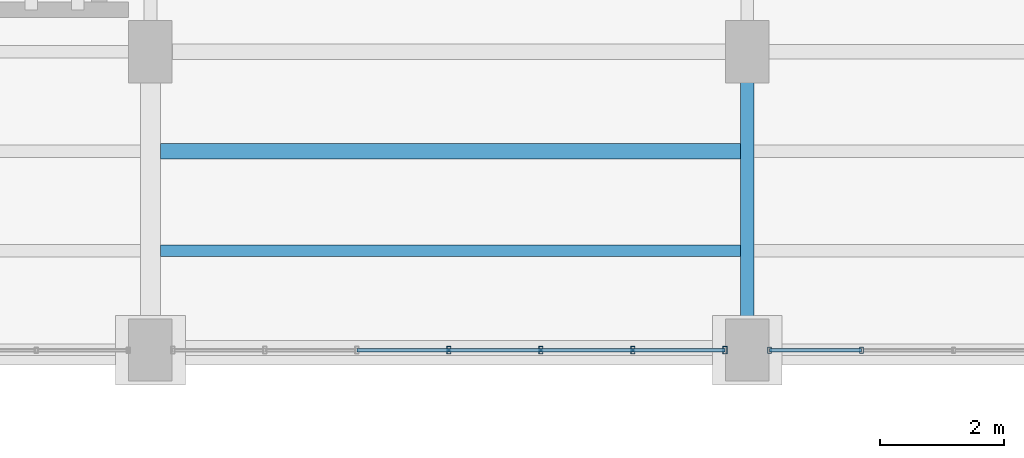
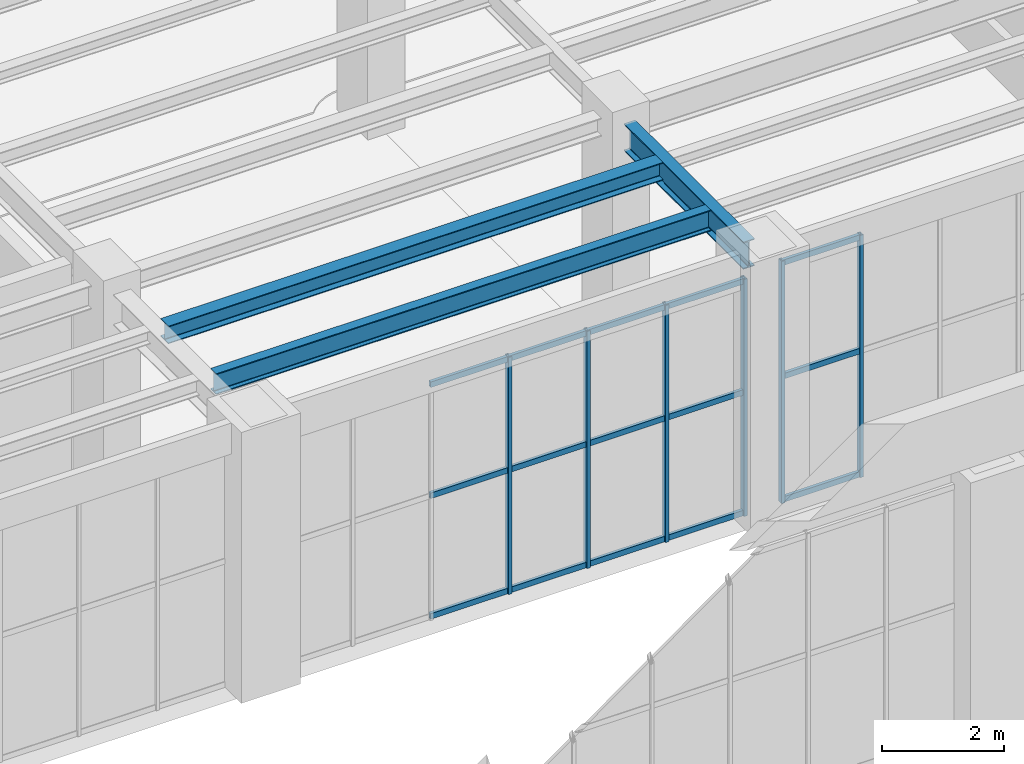
# One storey, part 104 of 164: 21 members, 3 beams, 2 elements without a shape of their own.
"""IFC4 building model written with IfcOpenShell, lengths in metres."""

from ifc_helpers import new_model, si_unit, direction, frame, origin, origin_2d, place, context, subcontext, project, spatial, hollow_rectangle, i_section, extrude, material, material_profile, profile_set, type_object, element, aggregate, save


model = new_model("IFC4")

# Units and contexts
model_context = context("Model", 3, precision=1e-05, world=origin(), true_north=direction((0.0, 1.0)))
body_context = subcontext(model_context, "Body", "Model", "MODEL_VIEW")
ifc_project = project(units=[si_unit("LENGTHUNIT", "METRE"), si_unit("AREAUNIT", "SQUARE_METRE"), si_unit("VOLUMEUNIT", "CUBIC_METRE"), si_unit("PLANEANGLEUNIT", "RADIAN"), si_unit("MASSUNIT", "GRAM", prefix="KILO")], contexts=[model_context])

# Site, building, storey
site_placement = place(None, origin())
site = spatial("IfcSite", under=ifc_project, at=site_placement, CompositionType="ELEMENT")
building_placement = place(site_placement, origin())
building = spatial("IfcBuilding", under=site, at=building_placement, Name="Mavantir Sound Aquarium", CompositionType="ELEMENT")
storey_placement = place(building_placement, origin())
storey = spatial("IfcBuildingStorey", under=building, at=storey_placement, Name="L00", CompositionType="ELEMENT", Elevation=0.0)

# Beams
ifc_material_1 = material(Name="Structural Steel ASTM A992 Gr50", Category="steel")
ifc_material_profile_1 = material_profile(ifc_material_1, i_section(OverallWidth=0.25390625, OverallDepth=0.35302734375, WebThickness=0.009521484375, FlangeThickness=0.016357421875, FilletRadius=0.014892578125, at=origin_2d()), Name="W360X91")
ifc_profile_set_1 = profile_set([ifc_material_profile_1], Name="Structural Steel ASTM A992 Gr50")
beam_type_1 = type_object("IfcBeamType", Name="BM-W360X91-I", PredefinedType="JOIST", material=ifc_profile_set_1)
beam_1_placement = place(storey_placement, frame((156.162109375, 39.199951171875, 4.889404296875), z_axis=(1.0, 0.0, 0.0), x_axis=(0.0, 1.0, 0.0)))
element("IfcBeam", 1, at=beam_1_placement, inside=storey, type_object=beam_type_1, Name="L00 secondary floor joist SJ-36 518", PredefinedType="JOIST", context=body_context, shape_type="SweptSolid", body=[
    extrude(i_section(OverallWidth=0.25390625, OverallDepth=0.35302734375, WebThickness=0.009521484375, FlangeThickness=0.016357421875, FilletRadius=0.014892578125, at=origin_2d()), origin(), (0.0, 0.0, 1.0), 9.331787109375),
])
ifc_material_profile_2 = material_profile(ifc_material_1, i_section(OverallWidth=0.180908203125, OverallDepth=0.4169921875, WebThickness=0.010986328125, FlangeThickness=0.018310546875, FilletRadius=0.014892578125, at=origin_2d()), Name="W410X85")
ifc_profile_set_2 = profile_set([ifc_material_profile_2], Name="Structural Steel ASTM A992 Gr50")
beam_type_2 = type_object("IfcBeamType", Name="BM-W410X85-I", PredefinedType="JOIST", material=ifc_profile_set_2)
beam_2_placement = place(storey_placement, frame((156.162109375, 37.60009765625, 4.857421875), z_axis=(1.0, 0.0, 0.0), x_axis=(0.0, 1.0, 0.0)))
element("IfcBeam", 2, at=beam_2_placement, inside=storey, type_object=beam_type_2, Name="L00 secondary floor joist SJ-41 517", PredefinedType="JOIST", context=body_context, shape_type="SweptSolid", body=[
    extrude(i_section(OverallWidth=0.180908203125, OverallDepth=0.4169921875, WebThickness=0.010986328125, FlangeThickness=0.018310546875, FilletRadius=0.014892578125, at=origin_2d()), origin(), (0.0, 0.0, 1.0), 9.331787109375),
])
ifc_material_profile_3 = material_profile(ifc_material_1, i_section(OverallWidth=0.2119140625, OverallDepth=0.5439453125, WebThickness=0.01318359375, FlangeThickness=0.021240234375, FilletRadius=0.01806640625, at=origin_2d()), Name="W530X123")
ifc_profile_set_3 = profile_set([ifc_material_profile_3], Name="Structural Steel ASTM A992 Gr50")
beam_type_3 = type_object("IfcBeamType", Name="BM-W530X123-I", PredefinedType="BEAM", material=ifc_profile_set_3)
beam_3_placement = place(storey_placement, frame((165.60009765625, 36.449951171875, 4.7939453125), z_axis=(0.0, 1.0, 0.0), x_axis=(-1.0, 0.0, 0.0)))
element("IfcBeam", 3, at=beam_3_placement, inside=storey, type_object=beam_type_3, Name="L00 primary girder SB-53 1019", PredefinedType="BEAM", context=body_context, shape_type="SweptSolid", body=[
    extrude(i_section(OverallWidth=0.2119140625, OverallDepth=0.5439453125, WebThickness=0.01318359375, FlangeThickness=0.021240234375, FilletRadius=0.01806640625, at=origin_2d()), origin(), (0.0, 0.0, 1.0), 3.900146484375),
])

# Curtain wall, members
ifc_material_2 = material(Name="Anodised Marine Aluminium and Low-E Glass", Category="aluminium")
curtain_wall_type_1 = type_object("IfcCurtainWallType", Name="CW-T01", PredefinedType="USERDEFINED", material=ifc_material_2)
curtain_wall_1_placement = place(storey_placement, origin())
curtain_wall_1 = element("IfcCurtainWall", 4, at=curtain_wall_1_placement, inside=storey, type_object=curtain_wall_type_1, Name="L00 unitised curtain wall CW-01 25", ObjectType="UNITISED GLAZING", PredefinedType="USERDEFINED")
ifc_material_3 = material(Name="Anodised Marine Aluminium 6063-T6", Category="aluminium")
ifc_material_profile_4 = material_profile(ifc_material_3, hollow_rectangle(XDim=0.06005859375, YDim=0.10009765625, WallThickness=0.00390625, at=origin_2d()), Name="ALU-MULLION-100X60")
ifc_profile_set_4 = profile_set([ifc_material_profile_4], Name="Anodised Marine Aluminium 6063-T6")
member_type_1 = type_object("IfcMemberType", Name="CW-MUL-100", PredefinedType="MULLION", material=ifc_profile_set_4)
member_1_placement = place(storey_placement, frame((165.9580078125, 36.0, 0.0), z_axis=(0.0, 0.0, 1.0), x_axis=(1.0, 0.0, 0.0)))
member_1 = element("IfcMember", 5, at=member_1_placement, type_object=member_type_1, Name="CW-L00-025 vertical mullion 1", PredefinedType="MULLION", context=body_context, shape_type="SweptSolid", body=[
    extrude(hollow_rectangle(XDim=0.06005859375, YDim=0.10009765625, WallThickness=0.00390625, at=origin_2d()), origin(), (0.0, 0.0, 1.0), 4.8330078125),
])
member_2_placement = place(storey_placement, frame((167.438720703125, 36.0, 0.0), z_axis=(0.0, 0.0, 1.0), x_axis=(1.0, 0.0, 0.0)))
member_2 = element("IfcMember", 6, at=member_2_placement, type_object=member_type_1, Name="CW-L00-025 vertical mullion 2", PredefinedType="MULLION", context=body_context, shape_type="SweptSolid", body=[
    extrude(hollow_rectangle(XDim=0.06005859375, YDim=0.10009765625, WallThickness=0.00390625, at=origin_2d()), origin(), (0.0, 0.0, 1.0), 4.8330078125),
])

curtain_wall_type_2 = type_object("IfcCurtainWallType", Name="CW-T24", PredefinedType="USERDEFINED", material=ifc_material_2)
curtain_wall_2_placement = place(storey_placement, origin())
curtain_wall_2 = element("IfcCurtainWall", 7, at=curtain_wall_2_placement, inside=storey, type_object=curtain_wall_type_2, Name="L00 unitised curtain wall CW-24 24", ObjectType="UNITISED GLAZING", PredefinedType="USERDEFINED")
ifc_material_profile_5 = material_profile(ifc_material_3, hollow_rectangle(XDim=0.06494140625, YDim=0.1201171875, WallThickness=0.00390625, at=origin_2d()), Name="ALU-MULLION-120X65")
ifc_profile_set_5 = profile_set([ifc_material_profile_5], Name="Anodised Marine Aluminium 6063-T6")
member_type_2 = type_object("IfcMemberType", Name="CW-MUL-120", PredefinedType="MULLION", material=ifc_profile_set_5)
member_3_placement = place(storey_placement, frame((160.800048828125, 36.0, 0.0), z_axis=(0.0, 0.0, 1.0), x_axis=(1.0, 0.0, 0.0)))
member_3 = element("IfcMember", 8, at=member_3_placement, type_object=member_type_2, Name="CW-L00-024 vertical mullion 4", PredefinedType="MULLION", context=body_context, shape_type="SweptSolid", body=[
    extrude(hollow_rectangle(XDim=0.06494140625, YDim=0.1201171875, WallThickness=0.00390625, at=origin_2d()), origin(), (0.0, 0.0, 1.0), 4.72802734375),
])
member_4_placement = place(storey_placement, frame((162.28076171875, 36.0, 0.0), z_axis=(0.0, 0.0, 1.0), x_axis=(1.0, 0.0, 0.0)))
member_4 = element("IfcMember", 9, at=member_4_placement, type_object=member_type_2, Name="CW-L00-024 vertical mullion 5", PredefinedType="MULLION", context=body_context, shape_type="SweptSolid", body=[
    extrude(hollow_rectangle(XDim=0.06494140625, YDim=0.1201171875, WallThickness=0.00390625, at=origin_2d()), origin(), (0.0, 0.0, 1.0), 4.72802734375),
])
member_5_placement = place(storey_placement, frame((163.76123046875, 36.0, 0.0), z_axis=(0.0, 0.0, 1.0), x_axis=(1.0, 0.0, 0.0)))
member_5 = element("IfcMember", 10, at=member_5_placement, type_object=member_type_2, Name="CW-L00-024 vertical mullion 6", PredefinedType="MULLION", context=body_context, shape_type="SweptSolid", body=[
    extrude(hollow_rectangle(XDim=0.06494140625, YDim=0.1201171875, WallThickness=0.00390625, at=origin_2d()), origin(), (0.0, 0.0, 1.0), 4.72802734375),
])
member_6_placement = place(storey_placement, frame((165.241943359375, 36.0, 0.0), z_axis=(0.0, 0.0, 1.0), x_axis=(1.0, 0.0, 0.0)))
member_6 = element("IfcMember", 11, at=member_6_placement, type_object=member_type_2, Name="CW-L00-024 vertical mullion 7", PredefinedType="MULLION", context=body_context, shape_type="SweptSolid", body=[
    extrude(hollow_rectangle(XDim=0.06494140625, YDim=0.1201171875, WallThickness=0.00390625, at=origin_2d()), origin(), (0.0, 0.0, 1.0), 4.72802734375),
])
ifc_material_profile_6 = material_profile(ifc_material_3, hollow_rectangle(XDim=0.06005859375, YDim=0.110107421875, WallThickness=0.00390625, at=origin_2d()), Name="ALU-TRANSOM-110X60")
ifc_profile_set_6 = profile_set([ifc_material_profile_6], Name="Anodised Marine Aluminium 6063-T6")
member_type_3 = type_object("IfcMemberType", Name="CW-TRN-110", PredefinedType="USERDEFINED", material=ifc_profile_set_6)
member_7_placement = place(storey_placement, frame((159.3193359375, 36.0, 0.054931640625), z_axis=(1.0, 0.0, 0.0), x_axis=(0.0, 1.0, 0.0)))
member_7 = element("IfcMember", 12, at=member_7_placement, type_object=member_type_3, Name="CW-L00-024 transom 3.1", ObjectType="TRANSOM", PredefinedType="USERDEFINED", context=body_context, shape_type="SweptSolid", body=[
    extrude(hollow_rectangle(XDim=0.06005859375, YDim=0.110107421875, WallThickness=0.00390625, at=origin_2d()), origin(), (0.0, 0.0, 1.0), 1.480712890625),
])
member_8_placement = place(storey_placement, frame((159.3193359375, 36.0, 2.45849609375), z_axis=(1.0, 0.0, 0.0), x_axis=(0.0, 1.0, 0.0)))
member_8 = element("IfcMember", 13, at=member_8_placement, type_object=member_type_3, Name="CW-L00-024 transom 3.2", ObjectType="TRANSOM", PredefinedType="USERDEFINED", context=body_context, shape_type="SweptSolid", body=[
    extrude(hollow_rectangle(XDim=0.06005859375, YDim=0.110107421875, WallThickness=0.00390625, at=origin_2d()), origin(), (0.0, 0.0, 1.0), 1.480712890625),
])
member_9_placement = place(storey_placement, frame((159.3193359375, 36.0, 4.673095703125), z_axis=(1.0, 0.0, 0.0), x_axis=(0.0, 1.0, 0.0)))
member_9 = element("IfcMember", 14, at=member_9_placement, type_object=member_type_3, Name="CW-L00-024 transom 3.3", ObjectType="TRANSOM", PredefinedType="USERDEFINED", context=body_context, shape_type="SweptSolid", body=[
    extrude(hollow_rectangle(XDim=0.06005859375, YDim=0.110107421875, WallThickness=0.00390625, at=origin_2d()), origin(), (0.0, 0.0, 1.0), 1.480712890625),
])
member_10_placement = place(storey_placement, frame((160.800048828125, 36.0, 0.054931640625), z_axis=(1.0, 0.0, 0.0), x_axis=(0.0, 1.0, 0.0)))
member_10 = element("IfcMember", 15, at=member_10_placement, type_object=member_type_3, Name="CW-L00-024 transom 4.1", ObjectType="TRANSOM", PredefinedType="USERDEFINED", context=body_context, shape_type="SweptSolid", body=[
    extrude(hollow_rectangle(XDim=0.06005859375, YDim=0.110107421875, WallThickness=0.00390625, at=origin_2d()), origin(), (0.0, 0.0, 1.0), 1.480712890625),
])
member_11_placement = place(storey_placement, frame((160.800048828125, 36.0, 2.45849609375), z_axis=(1.0, 0.0, 0.0), x_axis=(0.0, 1.0, 0.0)))
member_11 = element("IfcMember", 16, at=member_11_placement, type_object=member_type_3, Name="CW-L00-024 transom 4.2", ObjectType="TRANSOM", PredefinedType="USERDEFINED", context=body_context, shape_type="SweptSolid", body=[
    extrude(hollow_rectangle(XDim=0.06005859375, YDim=0.110107421875, WallThickness=0.00390625, at=origin_2d()), origin(), (0.0, 0.0, 1.0), 1.480712890625),
])
member_12_placement = place(storey_placement, frame((160.800048828125, 36.0, 4.673095703125), z_axis=(1.0, 0.0, 0.0), x_axis=(0.0, 1.0, 0.0)))
member_12 = element("IfcMember", 17, at=member_12_placement, type_object=member_type_3, Name="CW-L00-024 transom 4.3", ObjectType="TRANSOM", PredefinedType="USERDEFINED", context=body_context, shape_type="SweptSolid", body=[
    extrude(hollow_rectangle(XDim=0.06005859375, YDim=0.110107421875, WallThickness=0.00390625, at=origin_2d()), origin(), (0.0, 0.0, 1.0), 1.480712890625),
])
member_13_placement = place(storey_placement, frame((162.28076171875, 36.0, 0.054931640625), z_axis=(1.0, 0.0, 0.0), x_axis=(0.0, 1.0, 0.0)))
member_13 = element("IfcMember", 18, at=member_13_placement, type_object=member_type_3, Name="CW-L00-024 transom 5.1", ObjectType="TRANSOM", PredefinedType="USERDEFINED", context=body_context, shape_type="SweptSolid", body=[
    extrude(hollow_rectangle(XDim=0.06005859375, YDim=0.110107421875, WallThickness=0.00390625, at=origin_2d()), origin(), (0.0, 0.0, 1.0), 1.48046875),
])
member_14_placement = place(storey_placement, frame((162.28076171875, 36.0, 2.45849609375), z_axis=(1.0, 0.0, 0.0), x_axis=(0.0, 1.0, 0.0)))
member_14 = element("IfcMember", 19, at=member_14_placement, type_object=member_type_3, Name="CW-L00-024 transom 5.2", ObjectType="TRANSOM", PredefinedType="USERDEFINED", context=body_context, shape_type="SweptSolid", body=[
    extrude(hollow_rectangle(XDim=0.06005859375, YDim=0.110107421875, WallThickness=0.00390625, at=origin_2d()), origin(), (0.0, 0.0, 1.0), 1.48046875),
])
member_15_placement = place(storey_placement, frame((162.28076171875, 36.0, 4.673095703125), z_axis=(1.0, 0.0, 0.0), x_axis=(0.0, 1.0, 0.0)))
member_15 = element("IfcMember", 20, at=member_15_placement, type_object=member_type_3, Name="CW-L00-024 transom 5.3", ObjectType="TRANSOM", PredefinedType="USERDEFINED", context=body_context, shape_type="SweptSolid", body=[
    extrude(hollow_rectangle(XDim=0.06005859375, YDim=0.110107421875, WallThickness=0.00390625, at=origin_2d()), origin(), (0.0, 0.0, 1.0), 1.48046875),
])
member_16_placement = place(storey_placement, frame((163.76123046875, 36.0, 0.054931640625), z_axis=(1.0, 0.0, 0.0), x_axis=(0.0, 1.0, 0.0)))
member_16 = element("IfcMember", 21, at=member_16_placement, type_object=member_type_3, Name="CW-L00-024 transom 6.1", ObjectType="TRANSOM", PredefinedType="USERDEFINED", context=body_context, shape_type="SweptSolid", body=[
    extrude(hollow_rectangle(XDim=0.06005859375, YDim=0.110107421875, WallThickness=0.00390625, at=origin_2d()), origin(), (0.0, 0.0, 1.0), 1.480712890625),
])
member_17_placement = place(storey_placement, frame((163.76123046875, 36.0, 2.45849609375), z_axis=(1.0, 0.0, 0.0), x_axis=(0.0, 1.0, 0.0)))
member_17 = element("IfcMember", 22, at=member_17_placement, type_object=member_type_3, Name="CW-L00-024 transom 6.2", ObjectType="TRANSOM", PredefinedType="USERDEFINED", context=body_context, shape_type="SweptSolid", body=[
    extrude(hollow_rectangle(XDim=0.06005859375, YDim=0.110107421875, WallThickness=0.00390625, at=origin_2d()), origin(), (0.0, 0.0, 1.0), 1.480712890625),
])
member_18_placement = place(storey_placement, frame((163.76123046875, 36.0, 4.673095703125), z_axis=(1.0, 0.0, 0.0), x_axis=(0.0, 1.0, 0.0)))
member_18 = element("IfcMember", 23, at=member_18_placement, type_object=member_type_3, Name="CW-L00-024 transom 6.3", ObjectType="TRANSOM", PredefinedType="USERDEFINED", context=body_context, shape_type="SweptSolid", body=[
    extrude(hollow_rectangle(XDim=0.06005859375, YDim=0.110107421875, WallThickness=0.00390625, at=origin_2d()), origin(), (0.0, 0.0, 1.0), 1.480712890625),
])
aggregate(curtain_wall_2, [member_3, member_4, member_5, member_6, member_7, member_8, member_9, member_10, member_11, member_12, member_13, member_14, member_15, member_16, member_17, member_18])

# Member
member_19_placement = place(storey_placement, frame((165.9580078125, 36.0, 0.054931640625), z_axis=(1.0, 0.0, 0.0), x_axis=(0.0, 1.0, 0.0)))
member_19 = element("IfcMember", 24, at=member_19_placement, type_object=member_type_3, Name="CW-L00-025 transom 1.1", ObjectType="TRANSOM", PredefinedType="USERDEFINED", context=body_context, shape_type="SweptSolid", body=[
    extrude(hollow_rectangle(XDim=0.06005859375, YDim=0.110107421875, WallThickness=0.00390625, at=origin_2d()), origin(), (0.0, 0.0, 1.0), 1.480712890625),
])

member_20_placement = place(storey_placement, frame((165.9580078125, 36.0, 2.51318359375), z_axis=(1.0, 0.0, 0.0), x_axis=(0.0, 1.0, 0.0)))
member_20 = element("IfcMember", 25, at=member_20_placement, type_object=member_type_3, Name="CW-L00-025 transom 1.2", ObjectType="TRANSOM", PredefinedType="USERDEFINED", context=body_context, shape_type="SweptSolid", body=[
    extrude(hollow_rectangle(XDim=0.06005859375, YDim=0.110107421875, WallThickness=0.00390625, at=origin_2d()), origin(), (0.0, 0.0, 1.0), 1.480712890625),
])

member_21_placement = place(storey_placement, frame((165.9580078125, 36.0, 4.778076171875), z_axis=(1.0, 0.0, 0.0), x_axis=(0.0, 1.0, 0.0)))
member_21 = element("IfcMember", 26, at=member_21_placement, type_object=member_type_3, Name="CW-L00-025 transom 1.3", ObjectType="TRANSOM", PredefinedType="USERDEFINED", context=body_context, shape_type="SweptSolid", body=[
    extrude(hollow_rectangle(XDim=0.06005859375, YDim=0.110107421875, WallThickness=0.00390625, at=origin_2d()), origin(), (0.0, 0.0, 1.0), 1.480712890625),
])

aggregate(curtain_wall_1, [member_1, member_2, member_19, member_20, member_21])

save(model, "model.ifc")
